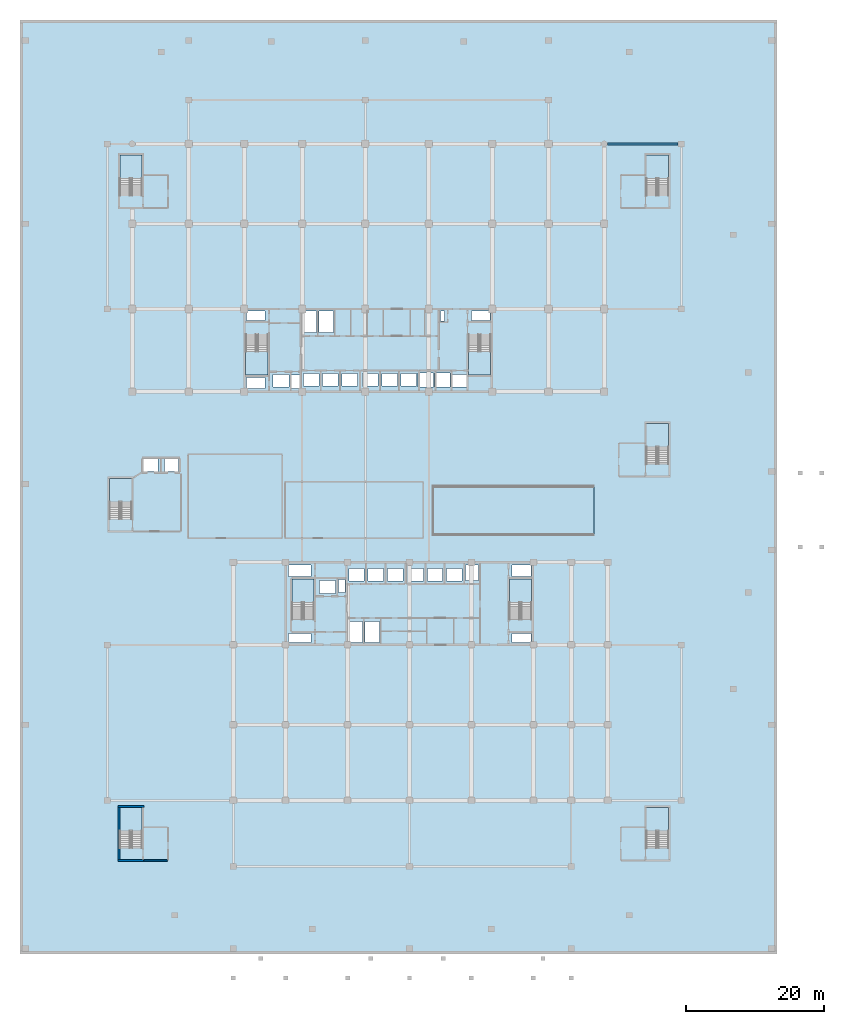
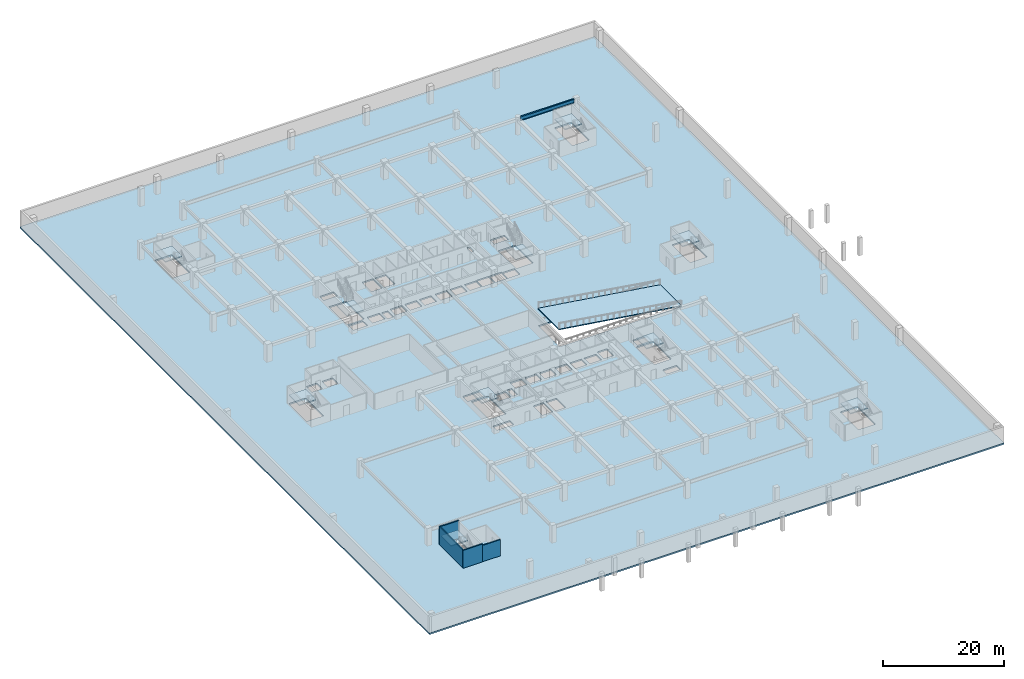
# One storey, part 3 of 22: 12 slabs, 4 walls, 1 beam, 10 elements without a shape of their own.
"""IFC4 building model written with IfcOpenShell, lengths in metres."""

from ifc_helpers import new_model, si_unit, direction, frame, frame_2d, origin, origin_2d, place, context, subcontext, project, spatial, polyline, rectangle, i_section, outline, extrude, material, layer, layer_set, material_profile, profile_set, type_object, element, aggregate, save


model = new_model("IFC4")

# Units and contexts
model_context = context("Model", 3, precision=1e-05, world=origin(), true_north=direction((0.0, 1.0)))
body_context = subcontext(model_context, "Body", "Model", "MODEL_VIEW")
ifc_project = project(units=[si_unit("LENGTHUNIT", "METRE"), si_unit("AREAUNIT", "SQUARE_METRE"), si_unit("VOLUMEUNIT", "CUBIC_METRE"), si_unit("PLANEANGLEUNIT", "RADIAN"), si_unit("MASSUNIT", "GRAM", prefix="KILO")], contexts=[model_context])

# Site, building, storey
site_placement = place(None, origin())
site = spatial("IfcSite", under=ifc_project, at=site_placement, CompositionType="ELEMENT")
building_placement = place(site_placement, origin())
building = spatial("IfcBuilding", under=site, at=building_placement, Name="Korimba Cascade Residences", CompositionType="ELEMENT")
storey_placement = place(building_placement, frame((0.0, 0.0, -7.199951171875)))
storey = spatial("IfcBuildingStorey", under=building, at=storey_placement, Name="B02", CompositionType="ELEMENT", Elevation=-7.199951171875)

# Beam
ifc_material_1 = material(Name="Steel S355", Category="steel")
ifc_material_profile = material_profile(ifc_material_1, i_section(OverallWidth=0.26806640625, OverallDepth=0.769775390625, WebThickness=0.015625, FlangeThickness=0.025390625, FilletRadius=0.0166015625, at=origin_2d()), Name="Steel S355")
ifc_profile_set = profile_set([ifc_material_profile], Name="Steel S355")
beam_type = type_object("IfcBeamType", Name="BM-STL-UB762", PredefinedType="BEAM", material=ifc_profile_set)
beam_placement = place(storey_placement, frame((128.875, 91.199951171875, 2.9150390625), z_axis=(1.0, 0.0, 0.0), x_axis=(0.0, 1.0, 0.0)))
element("IfcBeam", 1, at=beam_placement, inside=storey, type_object=beam_type, Name="B02 Podium Frame Girder E4", PredefinedType="BEAM", context=body_context, shape_type="SweptSolid", body=[
    extrude(i_section(OverallWidth=0.26806640625, OverallDepth=0.769775390625, WebThickness=0.015625, FlangeThickness=0.025390625, FilletRadius=0.0166015625, at=origin_2d()), origin(), (0.0, 0.0, 1.0), 10.25),
])

# Stair, slab
ifc_material_2 = material(Name="Concrete C50/60", Category="concrete")
stair_type_1 = type_object("IfcStairType", Name="STR-W1-20R-1800", PredefinedType="HALF_TURN_STAIR", material=ifc_material_2)
stair_1_placement = place(storey_placement, origin())
stair_1 = element("IfcStair", 2, at=stair_1_placement, inside=storey, type_object=stair_type_1, Name="B02 Tower 1 West Fire Stair ST-W1", PredefinedType="HALF_TURN_STAIR")
ifc_layer_1 = layer(ifc_material_2, 0.199951171875)
ifc_layer_set_1 = layer_set([ifc_layer_1], Name="Concrete C50/60")
slab_type_1 = type_object("IfcSlabType", Name="SLB-LND-220", PredefinedType="LANDING", material=ifc_layer_set_1)
slab_1_placement = place(storey_placement, frame((0.0, 0.0, 1.599853515625)))
slab_1 = element("IfcSlab", 3, at=slab_1_placement, type_object=slab_type_1, Name="ST-W1 landing 1", PredefinedType="LANDING", context=body_context, shape_type="SweptSolid", body=[
    extrude(outline(polyline([(76.300048828125, 61.030029296875), (76.300048828125, 57.60009765625), (79.5400390625, 57.60009765625), (79.5400390625, 61.030029296875), (76.300048828125, 61.030029296875)])), origin(), (0.0, 0.0, 1.0), 0.2001953125),
])
aggregate(stair_1, [slab_1])

stair_type_2 = type_object("IfcStairType", Name="STR-W2-20R-1800", PredefinedType="HALF_TURN_STAIR", material=ifc_material_2)
stair_2_placement = place(storey_placement, origin())
stair_2 = element("IfcStair", 4, at=stair_2_placement, inside=storey, type_object=stair_type_2, Name="B02 Tower 1 East Fire Stair ST-W2", PredefinedType="HALF_TURN_STAIR")
slab_2_placement = place(storey_placement, frame((0.0, 0.0, 1.599853515625)))
slab_2 = element("IfcSlab", 5, at=slab_2_placement, type_object=slab_type_1, Name="ST-W2 landing 1", PredefinedType="LANDING", context=body_context, shape_type="SweptSolid", body=[
    extrude(outline(polyline([(108.659912109375, 61.030029296875), (108.659912109375, 57.60009765625), (111.89990234375, 57.60009765625), (111.89990234375, 61.030029296875), (108.659912109375, 61.030029296875)])), origin(), (0.0, 0.0, 1.0), 0.2001953125),
])
aggregate(stair_2, [slab_2])

stair_type_3 = type_object("IfcStairType", Name="STR-E1-20R-1800", PredefinedType="HALF_TURN_STAIR", material=ifc_material_2)
stair_3_placement = place(storey_placement, origin())
stair_3 = element("IfcStair", 6, at=stair_3_placement, inside=storey, type_object=stair_type_3, Name="B02 Tower 2 West Fire Stair ST-E1", PredefinedType="HALF_TURN_STAIR")
slab_3_placement = place(storey_placement, frame((0.0, 0.0, 1.599853515625)))
slab_3 = element("IfcSlab", 7, at=slab_3_placement, type_object=slab_type_1, Name="ST-E1 landing 1", PredefinedType="LANDING", context=body_context, shape_type="SweptSolid", body=[
    extrude(outline(polyline([(86.239990234375, 24.570068359375), (86.239990234375, 28.0), (83.0, 28.0), (83.0, 24.570068359375), (86.239990234375, 24.570068359375)])), origin(), (0.0, 0.0, 1.0), 0.2001953125),
])
aggregate(stair_3, [slab_3])

stair_type_4 = type_object("IfcStairType", Name="STR-E2-20R-1800", PredefinedType="HALF_TURN_STAIR", material=ifc_material_2)
stair_4_placement = place(storey_placement, origin())
stair_4 = element("IfcStair", 8, at=stair_4_placement, inside=storey, type_object=stair_type_4, Name="B02 Tower 2 East Fire Stair ST-E2", PredefinedType="HALF_TURN_STAIR")
slab_4_placement = place(storey_placement, frame((0.0, 0.0, 1.599853515625)))
slab_4 = element("IfcSlab", 9, at=slab_4_placement, type_object=slab_type_1, Name="ST-E2 landing 1", PredefinedType="LANDING", context=body_context, shape_type="SweptSolid", body=[
    extrude(outline(polyline([(117.840087890625, 24.570068359375), (117.840087890625, 28.0), (114.60009765625, 28.0), (114.60009765625, 24.570068359375), (117.840087890625, 24.570068359375)])), origin(), (0.0, 0.0, 1.0), 0.2001953125),
])
aggregate(stair_4, [slab_4])

stair_type_5 = type_object("IfcStairType", Name="STR-P1-20R-1800", PredefinedType="HALF_TURN_STAIR", material=ifc_material_2)
stair_5_placement = place(storey_placement, origin())
stair_5 = element("IfcStair", 10, at=stair_5_placement, inside=storey, type_object=stair_type_5, Name="B02 Podium West Fire Stair ST-P1", PredefinedType="HALF_TURN_STAIR")
slab_5_placement = place(storey_placement, frame((0.0, 0.0, 1.599853515625)))
slab_5 = element("IfcSlab", 11, at=slab_5_placement, type_object=slab_type_1, Name="ST-P1 landing 1", PredefinedType="LANDING", context=body_context, shape_type="SweptSolid", body=[
    extrude(outline(polyline([(59.739990234375, 39.169921875), (59.739990234375, 42.60009765625), (56.5, 42.60009765625), (56.5, 39.169921875), (59.739990234375, 39.169921875)])), origin(), (0.0, 0.0, 1.0), 0.2001953125),
])
aggregate(stair_5, [slab_5])

stair_type_6 = type_object("IfcStairType", Name="STR-P2-20R-1800", PredefinedType="HALF_TURN_STAIR", material=ifc_material_2)
stair_6_placement = place(storey_placement, origin())
stair_6 = element("IfcStair", 12, at=stair_6_placement, inside=storey, type_object=stair_type_6, Name="B02 Podium East Fire Stair ST-P2", PredefinedType="HALF_TURN_STAIR")
slab_6_placement = place(storey_placement, frame((0.0, 0.0, 1.599853515625)))
slab_6 = element("IfcSlab", 13, at=slab_6_placement, type_object=slab_type_1, Name="ST-P2 landing 1", PredefinedType="LANDING", context=body_context, shape_type="SweptSolid", body=[
    extrude(outline(polyline([(137.739990234375, 47.169921875), (137.739990234375, 50.60009765625), (134.5, 50.60009765625), (134.5, 47.169921875), (137.739990234375, 47.169921875)])), origin(), (0.0, 0.0, 1.0), 0.2001953125),
])
aggregate(stair_6, [slab_6])

stair_type_7 = type_object("IfcStairType", Name="STR-P3-20R-1800", PredefinedType="HALF_TURN_STAIR", material=ifc_material_2)
stair_7_placement = place(storey_placement, origin())
stair_7 = element("IfcStair", 14, at=stair_7_placement, inside=storey, type_object=stair_type_7, Name="B02 Podium South-West Corner Fire Stair ST-P3", PredefinedType="HALF_TURN_STAIR")
slab_7_placement = place(storey_placement, frame((0.0, 0.0, 1.599853515625)))
slab_7 = element("IfcSlab", 15, at=slab_7_placement, type_object=slab_type_1, Name="ST-P3 landing 1", PredefinedType="LANDING", context=body_context, shape_type="SweptSolid", body=[
    extrude(outline(polyline([(61.239990234375, -8.6298828125), (61.239990234375, -5.199951171875), (58.0, -5.199951171875), (58.0, -8.6298828125), (61.239990234375, -8.6298828125)])), origin(), (0.0, 0.0, 1.0), 0.2001953125),
])
aggregate(stair_7, [slab_7])

stair_type_8 = type_object("IfcStairType", Name="STR-P4-20R-1800", PredefinedType="HALF_TURN_STAIR", material=ifc_material_2)
stair_8_placement = place(storey_placement, origin())
stair_8 = element("IfcStair", 16, at=stair_8_placement, inside=storey, type_object=stair_type_8, Name="B02 Podium North-East Corner Fire Stair ST-P4", PredefinedType="HALF_TURN_STAIR")
slab_8_placement = place(storey_placement, frame((0.0, 0.0, 1.599853515625)))
slab_8 = element("IfcSlab", 17, at=slab_8_placement, type_object=slab_type_1, Name="ST-P4 landing 1", PredefinedType="LANDING", context=body_context, shape_type="SweptSolid", body=[
    extrude(outline(polyline([(137.739990234375, 86.169921875), (137.739990234375, 89.60009765625), (134.5, 89.60009765625), (134.5, 86.169921875), (137.739990234375, 86.169921875)])), origin(), (0.0, 0.0, 1.0), 0.2001953125),
])
aggregate(stair_8, [slab_8])

stair_type_9 = type_object("IfcStairType", Name="STR-P5-20R-1800", PredefinedType="HALF_TURN_STAIR", material=ifc_material_2)
stair_9_placement = place(storey_placement, origin())
stair_9 = element("IfcStair", 18, at=stair_9_placement, inside=storey, type_object=stair_type_9, Name="B02 Podium North-West Corner Fire Stair ST-P5", PredefinedType="HALF_TURN_STAIR")
slab_9_placement = place(storey_placement, frame((0.0, 0.0, 1.599853515625)))
slab_9 = element("IfcSlab", 19, at=slab_9_placement, type_object=slab_type_1, Name="ST-P5 landing 1", PredefinedType="LANDING", context=body_context, shape_type="SweptSolid", body=[
    extrude(outline(polyline([(61.239990234375, 86.169921875), (61.239990234375, 89.60009765625), (58.0, 89.60009765625), (58.0, 86.169921875), (61.239990234375, 86.169921875)])), origin(), (0.0, 0.0, 1.0), 0.2001953125),
])
aggregate(stair_9, [slab_9])

stair_type_10 = type_object("IfcStairType", Name="STR-P6-20R-1800", PredefinedType="HALF_TURN_STAIR", material=ifc_material_2)
stair_10_placement = place(storey_placement, origin())
stair_10 = element("IfcStair", 20, at=stair_10_placement, inside=storey, type_object=stair_type_10, Name="B02 Podium South-East Corner Fire Stair ST-P6", PredefinedType="HALF_TURN_STAIR")
slab_10_placement = place(storey_placement, frame((0.0, 0.0, 1.599853515625)))
slab_10 = element("IfcSlab", 21, at=slab_10_placement, type_object=slab_type_1, Name="ST-P6 landing 1", PredefinedType="LANDING", context=body_context, shape_type="SweptSolid", body=[
    extrude(outline(polyline([(137.739990234375, -8.6298828125), (137.739990234375, -5.199951171875), (134.5, -5.199951171875), (134.5, -8.6298828125), (137.739990234375, -8.6298828125)])), origin(), (0.0, 0.0, 1.0), 0.2001953125),
])
aggregate(stair_10, [slab_10])

# Slabs
ifc_layer_2 = layer(ifc_material_2, 0.179931640625)
ifc_layer_set_2 = layer_set([ifc_layer_2], Name="Concrete C50/60")
slab_type_2 = type_object("IfcSlabType", Name="SLB-RAMP-300", PredefinedType="USERDEFINED", material=ifc_layer_set_2)
slab_11_placement = place(storey_placement, frame((103.47998046875, 34.39990234375, 3.599853515625), z_axis=(0.145200272785, 0.0, 0.989402284606), x_axis=(0.989402284606, 0.0, -0.145200272785)))
element("IfcSlab", 22, at=slab_11_placement, inside=storey, type_object=slab_type_2, Name="Car Park Vehicle Ramp Slab B02", ObjectType="RAMP", PredefinedType="USERDEFINED", context=body_context, shape_type="SweptSolid", body=[
    extrude(outline(polyline([(0.0, 0.0), (23.69091796875, 0.0), (23.69091796875, 7.0), (0.0, 7.0), (0.0, 0.0)])), origin(), (0.0, 0.0, -1.0), 0.179931640625),
])
ifc_layer_3 = layer(ifc_material_2, 0.300048828125)
ifc_layer_set_3 = layer_set([ifc_layer_3], Name="Concrete C50/60")
slab_type_3 = type_object("IfcSlabType", Name="SLB-SUB-300", PredefinedType="FLOOR", material=ifc_layer_set_3)
slab_12_placement = place(storey_placement, frame((0.0, 0.0, -0.300048828125)))
element("IfcSlab", 23, at=slab_12_placement, inside=storey, type_object=slab_type_3, Name="B02 Car Park Structural Slab", PredefinedType="FLOOR", context=body_context, shape_type="SweptSolid", body=[
    extrude(outline(polyline([(43.5, -26.5), (153.5, -26.5), (153.5, 109.199951171875), (43.5, 109.199951171875), (43.5, -26.5)]), holes=[polyline([(76.300048828125, 63.514892578125), (76.300048828125, 57.60009765625), (79.5400390625, 57.60009765625), (79.5400390625, 63.514892578125), (76.300048828125, 63.514892578125)]), polyline([(108.659912109375, 63.514892578125), (108.659912109375, 57.60009765625), (111.89990234375, 57.60009765625), (111.89990234375, 63.514892578125), (108.659912109375, 63.514892578125)]), polyline([(86.239990234375, 22.0849609375), (86.239990234375, 28.0), (83.0, 28.0), (83.0, 22.0849609375), (86.239990234375, 22.0849609375)]), polyline([(117.840087890625, 22.0849609375), (117.840087890625, 28.0), (114.60009765625, 28.0), (114.60009765625, 22.0849609375), (117.840087890625, 22.0849609375)]), polyline([(59.739990234375, 36.68505859375), (59.739990234375, 42.60009765625), (56.5, 42.60009765625), (56.5, 36.68505859375), (59.739990234375, 36.68505859375)]), polyline([(137.739990234375, 44.68505859375), (137.739990234375, 50.60009765625), (134.5, 50.60009765625), (134.5, 44.68505859375), (137.739990234375, 44.68505859375)]), polyline([(61.239990234375, -11.114990234375), (61.239990234375, -5.199951171875), (58.0, -5.199951171875), (58.0, -11.114990234375), (61.239990234375, -11.114990234375)]), polyline([(137.739990234375, 83.68505859375), (137.739990234375, 89.60009765625), (134.5, 89.60009765625), (134.5, 83.68505859375), (137.739990234375, 83.68505859375)]), polyline([(61.239990234375, 83.68505859375), (61.239990234375, 89.60009765625), (58.0, 89.60009765625), (58.0, 83.68505859375), (61.239990234375, 83.68505859375)]), polyline([(137.739990234375, -11.114990234375), (137.739990234375, -5.199951171875), (134.5, -5.199951171875), (134.5, -11.114990234375), (137.739990234375, -11.114990234375)]), polyline([(80.22998046875, 55.8798828125), (82.570068359375, 55.8798828125), (82.570068359375, 57.719970703125), (80.22998046875, 57.719970703125), (80.22998046875, 55.8798828125)]), polyline([(106.080078125, 55.8798828125), (108.419921875, 55.8798828125), (108.419921875, 57.719970703125), (106.080078125, 57.719970703125), (106.080078125, 55.8798828125)]), polyline([(87.030029296875, 25.8798828125), (89.3701171875, 25.8798828125), (89.3701171875, 27.719970703125), (87.030029296875, 27.719970703125), (87.030029296875, 25.8798828125)]), polyline([(84.679931640625, 55.97998046875), (86.919921875, 55.97998046875), (86.919921875, 57.820068359375), (84.679931640625, 57.820068359375), (84.679931640625, 55.97998046875)]), polyline([(87.47998046875, 55.97998046875), (89.719970703125, 55.97998046875), (89.719970703125, 57.820068359375), (87.47998046875, 57.820068359375), (87.47998046875, 55.97998046875)]), polyline([(90.280029296875, 55.97998046875), (92.52001953125, 55.97998046875), (92.52001953125, 57.820068359375), (90.280029296875, 57.820068359375), (90.280029296875, 55.97998046875)]), polyline([(93.280029296875, 55.97998046875), (95.52001953125, 55.97998046875), (95.52001953125, 57.820068359375), (93.280029296875, 57.820068359375), (93.280029296875, 55.97998046875)]), polyline([(96.080078125, 55.97998046875), (98.320068359375, 55.97998046875), (98.320068359375, 57.820068359375), (96.080078125, 57.820068359375), (96.080078125, 55.97998046875)]), polyline([(98.8798828125, 55.97998046875), (101.1201171875, 55.97998046875), (101.1201171875, 57.820068359375), (98.8798828125, 57.820068359375), (98.8798828125, 55.97998046875)]), polyline([(101.304931640625, 55.8798828125), (103.594970703125, 55.8798828125), (103.594970703125, 57.919921875), (101.304931640625, 57.919921875), (101.304931640625, 55.8798828125)]), polyline([(103.705078125, 55.8798828125), (105.9951171875, 55.8798828125), (105.9951171875, 57.919921875), (103.705078125, 57.919921875), (103.705078125, 55.8798828125)]), polyline([(91.280029296875, 27.679931640625), (93.52001953125, 27.679931640625), (93.52001953125, 29.52001953125), (91.280029296875, 29.52001953125), (91.280029296875, 27.679931640625)]), polyline([(94.080078125, 27.679931640625), (96.320068359375, 27.679931640625), (96.320068359375, 29.52001953125), (94.080078125, 29.52001953125), (94.080078125, 27.679931640625)]), polyline([(96.8798828125, 27.679931640625), (99.1201171875, 27.679931640625), (99.1201171875, 29.52001953125), (96.8798828125, 29.52001953125), (96.8798828125, 27.679931640625)]), polyline([(99.8798828125, 27.679931640625), (102.1201171875, 27.679931640625), (102.1201171875, 29.52001953125), (99.8798828125, 29.52001953125), (99.8798828125, 27.679931640625)]), polyline([(102.679931640625, 27.679931640625), (104.919921875, 27.679931640625), (104.919921875, 29.52001953125), (102.679931640625, 29.52001953125), (102.679931640625, 27.679931640625)]), polyline([(105.47998046875, 27.679931640625), (107.719970703125, 27.679931640625), (107.719970703125, 29.52001953125), (105.47998046875, 29.52001953125), (105.47998046875, 27.679931640625)]), polyline([(61.47998046875, 43.580078125), (63.52001953125, 43.580078125), (63.52001953125, 45.419921875), (61.47998046875, 45.419921875), (61.47998046875, 43.580078125)]), polyline([(64.47998046875, 43.580078125), (66.52001953125, 43.580078125), (66.52001953125, 45.419921875), (64.47998046875, 45.419921875), (64.47998046875, 43.580078125)]), polyline([(82.97998046875, 55.679931640625), (84.080078125, 55.679931640625), (84.080078125, 57.6201171875), (82.97998046875, 57.6201171875), (82.97998046875, 55.679931640625)]), polyline([(76.39990234375, 65.56005859375), (79.10009765625, 65.56005859375), (79.10009765625, 66.8798828125), (76.39990234375, 66.8798828125), (76.39990234375, 65.56005859375)]), polyline([(76.39990234375, 55.679931640625), (79.10009765625, 55.679931640625), (79.10009765625, 57.239990234375), (76.39990234375, 57.239990234375), (76.39990234375, 55.679931640625)]), polyline([(84.530029296875, 63.820068359375), (86.6201171875, 63.820068359375), (86.6201171875, 66.8798828125), (84.530029296875, 66.8798828125), (84.530029296875, 63.820068359375)]), polyline([(86.97998046875, 63.820068359375), (89.070068359375, 63.820068359375), (89.070068359375, 66.8798828125), (86.97998046875, 66.8798828125), (86.97998046875, 63.820068359375)]), polyline([(104.6201171875, 65.4599609375), (105.179931640625, 65.4599609375), (105.179931640625, 66.8798828125), (104.6201171875, 66.8798828125), (104.6201171875, 65.4599609375)]), polyline([(109.080078125, 65.56005859375), (111.800048828125, 65.56005859375), (111.800048828125, 66.8798828125), (109.080078125, 66.8798828125), (109.080078125, 65.56005859375)]), polyline([(89.780029296875, 25.97998046875), (90.719970703125, 25.97998046875), (90.719970703125, 27.919921875), (89.780029296875, 27.919921875), (89.780029296875, 25.97998046875)]), polyline([(82.530029296875, 18.72998046875), (85.800048828125, 18.72998046875), (85.800048828125, 20.0400390625), (82.530029296875, 20.0400390625), (82.530029296875, 18.72998046875)]), polyline([(82.530029296875, 28.360107421875), (85.800048828125, 28.360107421875), (85.800048828125, 29.969970703125), (82.530029296875, 29.969970703125), (82.530029296875, 28.360107421875)]), polyline([(108.22998046875, 27.780029296875), (110.1201171875, 27.780029296875), (110.1201171875, 29.969970703125), (108.22998046875, 29.969970703125), (108.22998046875, 27.780029296875)]), polyline([(91.22998046875, 18.72998046875), (93.27001953125, 18.72998046875), (93.27001953125, 21.780029296875), (91.22998046875, 21.780029296875), (91.22998046875, 18.72998046875)]), polyline([(93.6298828125, 18.72998046875), (95.719970703125, 18.72998046875), (95.719970703125, 21.780029296875), (93.6298828125, 21.780029296875), (93.6298828125, 18.72998046875)]), polyline([(115.02001953125, 18.72998046875), (117.739990234375, 18.72998046875), (117.739990234375, 20.0400390625), (115.02001953125, 20.0400390625), (115.02001953125, 18.72998046875)]), polyline([(115.02001953125, 28.360107421875), (117.739990234375, 28.360107421875), (117.739990234375, 29.969970703125), (115.02001953125, 29.969970703125), (115.02001953125, 28.360107421875)]), polyline([(103.60009765625, 34.39990234375), (126.800048828125, 34.39990234375), (126.800048828125, 41.39990234375), (103.60009765625, 41.39990234375), (103.60009765625, 34.39990234375)])]), origin(), (0.0, 0.0, 1.0), 0.300048828125),
])

# Walls
ifc_material_3 = material(Name="Concrete C40/50", Category="concrete")
ifc_layer_4 = layer(ifc_material_3, 0.199951171875)
ifc_layer_set_4 = layer_set([ifc_layer_4], Name="Concrete C40/50")
wall_type_1 = type_object("IfcWallType", Name="WAL-PART-200", PredefinedType="PARTITIONING", material=ifc_layer_set_4)
wall_1_placement = place(storey_placement, frame((61.5, -12.925048828125, 0.0), z_axis=(0.0, 0.0, 1.0), x_axis=(1.0, 0.0, 0.0)))
element("IfcWall", 24, at=wall_1_placement, inside=storey, type_object=wall_type_1, Name="B02 Partition Wall CW-B02-PL3S", PredefinedType="PARTITIONING", context=body_context, shape_type="SweptSolid", body=[
    extrude(rectangle(XDim=3.39990234375, YDim=0.199951171875, at=frame_2d((1.699951171875, 0.0))), origin(), (0.0, 0.0, 1.0), 3.300048828125),
])
ifc_layer_5 = layer(ifc_material_2, 0.25)
ifc_layer_set_5 = layer_set([ifc_layer_5], Name="Concrete C50/60")
wall_type_2 = type_object("IfcWallType", Name="WAL-SHAFT-250", PredefinedType="SHEAR", material=ifc_layer_set_5)
wall_2_placement = place(storey_placement, frame((57.875, -12.800048828125, 0.0), z_axis=(0.0, 0.0, 1.0), x_axis=(0.0, 1.0, 0.0)))
element("IfcWall", 25, at=wall_2_placement, inside=storey, type_object=wall_type_2, Name="B02 Core Shear Wall CW-B02-STP3W", PredefinedType="SHEAR", context=body_context, shape_type="SweptSolid", body=[
    extrude(rectangle(XDim=7.60009765625, YDim=0.25, at=frame_2d((3.800048828125, 0.0))), origin(), (0.0, 0.0, 1.0), 3.599853515625),
])
for number, where, z_axis, x_axis, name in (
    (26, (57.75, -12.925048828125, 0.0), (0.0, 0.0, 1.0), (1.0, 0.0, 0.0), "B02 Core Shear Wall CW-B02-STP3S"),
    (27, (57.75, -5.074951171875, 0.0), (0.0, 0.0, 1.0), (1.0, 0.0, 0.0), "B02 Core Shear Wall CW-B02-STP3N"),
):
    element("IfcWall", number, at=place(storey_placement, frame(where, z_axis=z_axis, x_axis=x_axis)), inside=storey, type_object=wall_type_2, Name=name, PredefinedType="SHEAR", context=body_context, shape_type="SweptSolid", body=[
        extrude(rectangle(XDim=3.739990234375, YDim=0.25, at=frame_2d((1.8701171875, 0.0))), origin(), (0.0, 0.0, 1.0), 3.599853515625),
    ])

save(model, "model.ifc")
